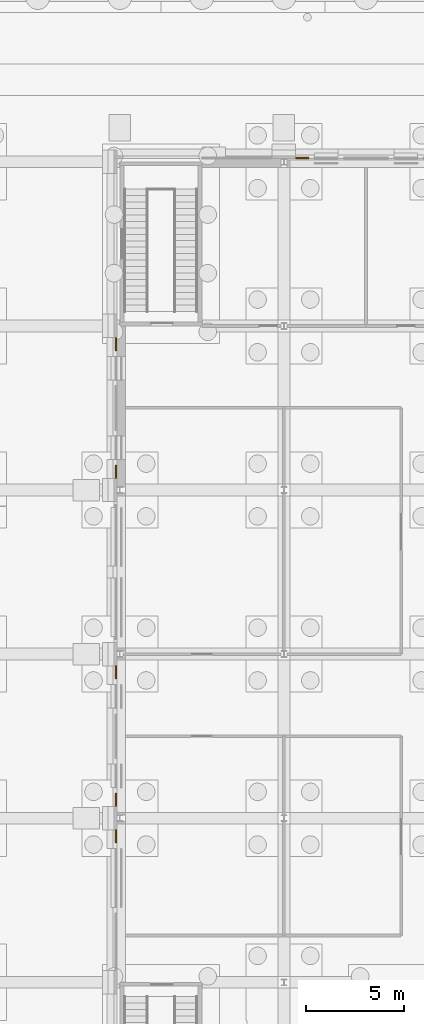
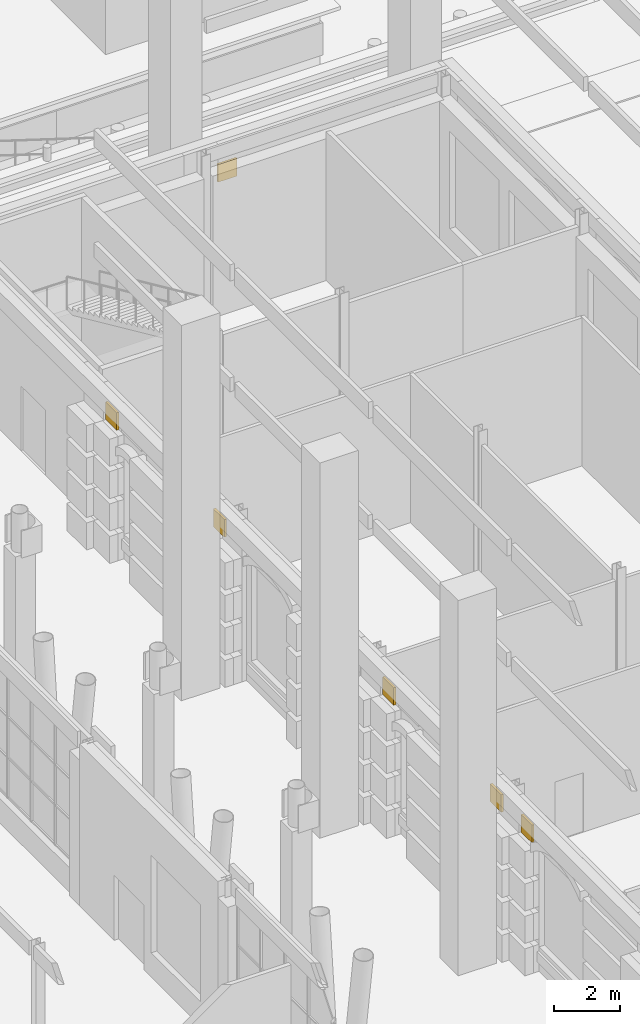
# One storey, part 209 of 222: 6 coverings.
"""IFC4 building model written with IfcOpenShell, lengths in metres."""

from ifc_helpers import new_model, si_unit, direction, frame, origin, origin_2d, place, context, subcontext, project, spatial, rectangle, extrude, material, layer, layer_set, type_object, element, save


model = new_model("IFC4")

# Units and contexts
model_context = context("Model", 3, precision=1e-05, world=origin(), true_north=direction((0.0, 1.0)))
body_context = subcontext(model_context, "Body", "Model", "MODEL_VIEW")
ifc_project = project(units=[si_unit("LENGTHUNIT", "METRE"), si_unit("AREAUNIT", "SQUARE_METRE"), si_unit("VOLUMEUNIT", "CUBIC_METRE"), si_unit("PLANEANGLEUNIT", "RADIAN"), si_unit("MASSUNIT", "GRAM", prefix="KILO")], contexts=[model_context])

# Site, building, storey
site_placement = place(None, origin())
site = spatial("IfcSite", under=ifc_project, at=site_placement, CompositionType="ELEMENT")
building_placement = place(site_placement, origin())
building = spatial("IfcBuilding", under=site, at=building_placement, Name="Sava Quay Ferry Terminal", CompositionType="ELEMENT")
storey_placement = place(building_placement, origin())
storey = spatial("IfcBuildingStorey", under=building, at=storey_placement, Name="L00", CompositionType="ELEMENT", Elevation=0.0)

# Coverings
ifc_material = material(Name="Limestone Mutalj", Category="masonry")
ifc_layer = layer(ifc_material, 0.080078125)
ifc_layer_set = layer_set([ifc_layer], Name="Limestone Mutalj")
covering_type = type_object("IfcCoveringType", Name="Light stone cladding 80", PredefinedType="CLADDING", material=ifc_layer_set)
covering_1_placement = place(storey_placement, frame((101.731201171875, 109.39990234375, 4.60009765625), z_axis=(0.0, 0.0, 1.0), x_axis=(1.0, 0.0, 0.0)))
element("IfcCovering", 1, at=covering_1_placement, inside=storey, type_object=covering_type, Name="Light stone cladding", PredefinedType="CLADDING", context=body_context, shape_type="SweptSolid", body=[
    extrude(rectangle(XDim=0.66259765625, YDim=0.080078125, at=origin_2d()), origin(), (0.0, 0.0, 1.0), 0.64990234375),
])
covering_2_placement = place(storey_placement, frame((92.2099609375, 74.668701171875, 4.60009765625), z_axis=(0.0, 0.0, 1.0), x_axis=(1.0, 0.0, 0.0)))
element("IfcCovering", 2, at=covering_2_placement, inside=storey, type_object=covering_type, Name="Light stone cladding", PredefinedType="CLADDING", context=body_context, shape_type="SweptSolid", body=[
    extrude(rectangle(XDim=0.080078125, YDim=0.66259765625, at=origin_2d()), origin(), (0.0, 0.0, 1.0), 0.64990234375),
])
for number, where, z_axis, x_axis, name in (
    (3, (92.2099609375, 76.534423828125, 4.60009765625), (0.0, 0.0, 1.0), (1.0, 0.0, 0.0), "Light stone cladding"),
    (4, (92.2099609375, 83.065673828125, 4.60009765625), (0.0, 0.0, 1.0), (1.0, 0.0, 0.0), "Light stone cladding"),
    (5, (92.2099609375, 93.33447265625, 4.60009765625), (0.0, 0.0, 1.0), (1.0, 0.0, 0.0), "Light stone cladding"),
    (6, (92.2099609375, 99.865478515625, 4.60009765625), (0.0, 0.0, 1.0), (1.0, 0.0, 0.0), "Light stone cladding"),
):
    element("IfcCovering", number, at=place(storey_placement, frame(where, z_axis=z_axis, x_axis=x_axis)), inside=storey, type_object=covering_type, Name=name, PredefinedType="CLADDING", context=body_context, shape_type="SweptSolid", body=[
        extrude(rectangle(XDim=0.080078125, YDim=0.668701171875, at=origin_2d()), origin(), (0.0, 0.0, 1.0), 0.64990234375),
    ])

save(model, "model.ifc")
